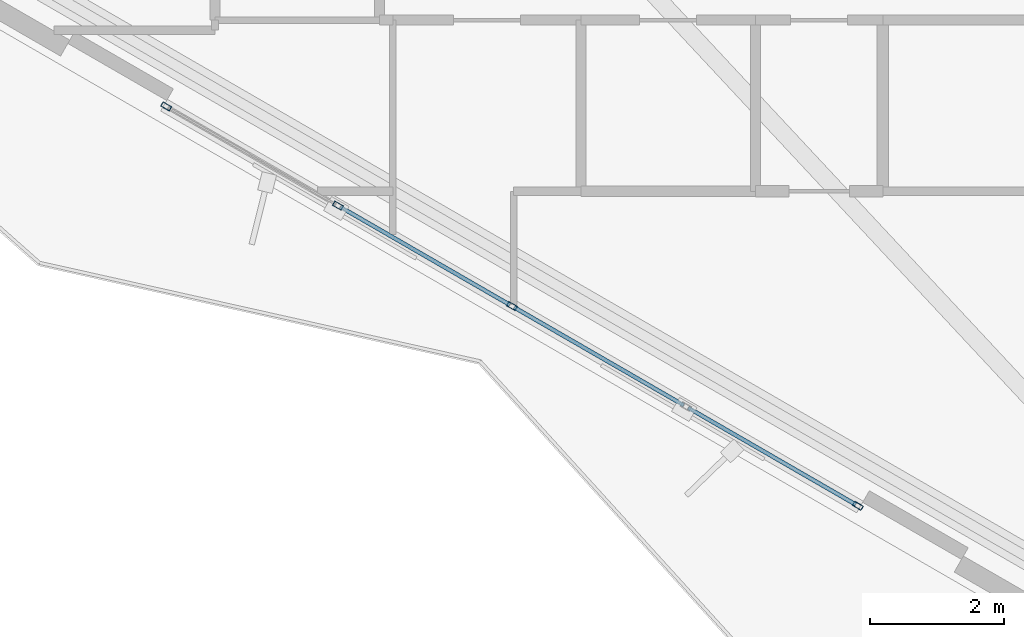
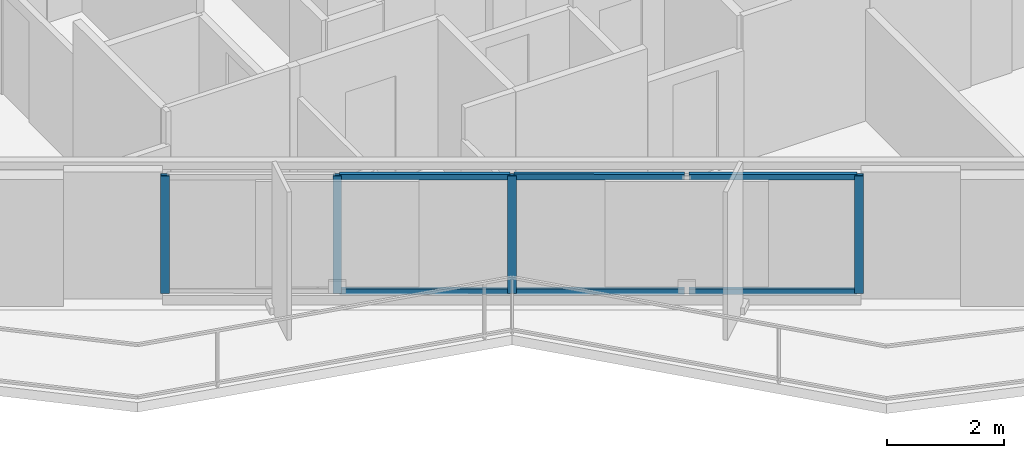
# One storey, part 2 of 19: 10 members, 1 element without a shape of its own.
"""IFC4 building model written with IfcOpenShell, lengths in metres."""

from ifc_helpers import new_model, si_unit, direction, frame, origin, origin_2d, place, context, subcontext, project, spatial, hollow_rectangle, extrude, material, layer, layer_set, material_profile, profile_set, type_object, element, aggregate, save


model = new_model("IFC4")

# Units and contexts
model_context = context("Model", 3, precision=1e-05, world=origin(), true_north=direction((0.0, 1.0)))
body_context = subcontext(model_context, "Body", "Model", "MODEL_VIEW")
ifc_project = project(units=[si_unit("LENGTHUNIT", "METRE"), si_unit("AREAUNIT", "SQUARE_METRE"), si_unit("VOLUMEUNIT", "CUBIC_METRE"), si_unit("PLANEANGLEUNIT", "RADIAN"), si_unit("MASSUNIT", "GRAM", prefix="KILO")], contexts=[model_context])

# Site, building, storey
site_placement = place(None, origin())
site = spatial("IfcSite", under=ifc_project, at=site_placement, CompositionType="ELEMENT")
building_placement = place(site_placement, origin())
building = spatial("IfcBuilding", under=site, at=building_placement, Name="Mersakhor Tower and Convention Hall", CompositionType="ELEMENT")
storey_placement = place(building_placement, frame((0.0, 0.0, 29.10009765625)))
storey = spatial("IfcBuildingStorey", under=building, at=storey_placement, Name="L07", CompositionType="ELEMENT", Elevation=29.10009765625)

# Curtain wall, members
ifc_material_1 = material(Name="Dark solar low-E aluminium curtain wall", Category="aluminium")
ifc_layer = layer(ifc_material_1, 0.159912109375)
ifc_layer_set = layer_set([ifc_layer], Name="Dark solar low-E aluminium curtain wall")
curtain_wall_type = type_object("IfcCurtainWallType", Name="CW-SYS-01", PredefinedType="USERDEFINED", material=ifc_layer_set)
curtain_wall_placement = place(storey_placement, origin())
curtain_wall = element("IfcCurtainWall", 1, at=curtain_wall_placement, inside=storey, type_object=curtain_wall_type, Name="L07 Dark-Glass Curtain Wall F3-B2", ObjectType="CURTAIN WALL", PredefinedType="USERDEFINED")
ifc_material_2 = material(Name="Anodised aluminium EN AW-6063 T6", Category="aluminium")
ifc_material_profile_1 = material_profile(ifc_material_2, hollow_rectangle(XDim=0.074951171875, YDim=0.14990234375, WallThickness=0.00634765625, at=origin_2d()), Name="RHS 150x75x6.3")
ifc_profile_set_1 = profile_set([ifc_material_profile_1], Name="Anodised aluminium EN AW-6063 T6")
member_type_1 = type_object("IfcMemberType", Name="CWM-150x75", PredefinedType="MULLION", material=ifc_profile_set_1)
member_1_placement = place(storey_placement, frame((26.72705078125, 10.9150390625, 0.199951171875), z_axis=(0.0, 0.0, 1.0), x_axis=(-0.50000344889, -0.866023412558, 0.0)))
member_1 = element("IfcMember", 2, at=member_1_placement, type_object=member_type_1, Name="CW-01 mullion 1", PredefinedType="MULLION", context=body_context, shape_type="SweptSolid", body=[
    extrude(hollow_rectangle(XDim=0.074951171875, YDim=0.14990234375, WallThickness=0.00634765625, at=origin_2d()), origin(), (0.0, 0.0, 1.0), 2.4599609375),
])
member_2_placement = place(storey_placement, frame((21.574951171875, 13.889404296875, 0.199951171875), z_axis=(0.0, 0.0, 1.0), x_axis=(-0.50000344889, -0.866023412558, 0.0)))
member_2 = element("IfcMember", 3, at=member_2_placement, type_object=member_type_1, Name="CW-01 mullion 3", PredefinedType="MULLION", context=body_context, shape_type="SweptSolid", body=[
    extrude(hollow_rectangle(XDim=0.074951171875, YDim=0.14990234375, WallThickness=0.00634765625, at=origin_2d()), origin(), (0.0, 0.0, 1.0), 2.4599609375),
])
member_3_placement = place(storey_placement, frame((18.982666015625, 15.38623046875, 0.199951171875), z_axis=(0.0, 0.0, 1.0), x_axis=(-0.50000344889, -0.866023412558, 0.0)))
member_3 = element("IfcMember", 4, at=member_3_placement, type_object=member_type_1, Name="CW-01 mullion 4", PredefinedType="MULLION", context=body_context, shape_type="SweptSolid", body=[
    extrude(hollow_rectangle(XDim=0.074951171875, YDim=0.14990234375, WallThickness=0.00634765625, at=origin_2d()), origin(), (0.0, 0.0, 1.0), 2.4599609375),
])
member_4_placement = place(storey_placement, frame((16.423095703125, 16.864013671875, 0.199951171875), z_axis=(0.0, 0.0, 1.0), x_axis=(-0.50000344889, -0.866023412558, 0.0)))
member_4 = element("IfcMember", 5, at=member_4_placement, type_object=member_type_1, Name="CW-01 mullion 5", PredefinedType="MULLION", context=body_context, shape_type="SweptSolid", body=[
    extrude(hollow_rectangle(XDim=0.074951171875, YDim=0.14990234375, WallThickness=0.00634765625, at=origin_2d()), origin(), (0.0, 0.0, 1.0), 2.4599609375),
])
ifc_material_3 = material(Name="Anodised aluminium EN AW-6063 T6", Category="aluminium")
ifc_material_profile_2 = material_profile(ifc_material_3, hollow_rectangle(XDim=0.06005859375, YDim=0.1201171875, WallThickness=0.0048828125, at=origin_2d()), Name="RHS 120x60x5")
ifc_profile_set_2 = profile_set([ifc_material_profile_2], Name="Anodised aluminium EN AW-6063 T6")
member_type_2 = type_object("IfcMemberType", Name="CWT-120x60", PredefinedType="USERDEFINED", material=ifc_profile_set_2)
member_5_placement = place(storey_placement, frame((26.694580078125, 10.93359375, 0.22998046875), z_axis=(-0.866023290103, 0.500003660985, 0.0), x_axis=(-0.500003660985, -0.866023290103, 0.0)))
member_5 = element("IfcMember", 6, at=member_5_placement, type_object=member_type_2, Name="CW-01 transom 1.1", ObjectType="TRANSOM", PredefinedType="USERDEFINED", context=body_context, shape_type="SweptSolid", body=[
    extrude(hollow_rectangle(XDim=0.06005859375, YDim=0.1201171875, WallThickness=0.0048828125, at=origin_2d()), origin(), (0.0, 0.0, 1.0), 2.880859375),
])
member_6_placement = place(storey_placement, frame((26.694580078125, 10.93359375, 2.6298828125), z_axis=(-0.866023290103, 0.500003660985, 0.0), x_axis=(-0.500003660985, -0.866023290103, 0.0)))
member_6 = element("IfcMember", 7, at=member_6_placement, type_object=member_type_2, Name="CW-01 transom 1.2", ObjectType="TRANSOM", PredefinedType="USERDEFINED", context=body_context, shape_type="SweptSolid", body=[
    extrude(hollow_rectangle(XDim=0.06005859375, YDim=0.1201171875, WallThickness=0.0048828125, at=origin_2d()), origin(), (0.0, 0.0, 1.0), 2.880859375),
])
member_7_placement = place(storey_placement, frame((24.134765625, 12.41162109375, 0.22998046875), z_axis=(-0.866015622527, 0.500016941252, 0.0), x_axis=(-0.500016941252, -0.866015622527, 0.0)))
member_7 = element("IfcMember", 8, at=member_7_placement, type_object=member_type_2, Name="CW-01 transom 2.1", ObjectType="TRANSOM", PredefinedType="USERDEFINED", context=body_context, shape_type="SweptSolid", body=[
    extrude(hollow_rectangle(XDim=0.06005859375, YDim=0.1201171875, WallThickness=0.0048828125, at=origin_2d()), origin(), (0.0, 0.0, 1.0), 2.91845703125),
])
member_8_placement = place(storey_placement, frame((24.134765625, 12.41162109375, 2.6298828125), z_axis=(-0.866015622527, 0.500016941252, 0.0), x_axis=(-0.500016941252, -0.866015622527, 0.0)))
member_8 = element("IfcMember", 9, at=member_8_placement, type_object=member_type_2, Name="CW-01 transom 2.2", ObjectType="TRANSOM", PredefinedType="USERDEFINED", context=body_context, shape_type="SweptSolid", body=[
    extrude(hollow_rectangle(XDim=0.06005859375, YDim=0.1201171875, WallThickness=0.0048828125, at=origin_2d()), origin(), (0.0, 0.0, 1.0), 2.91845703125),
])
member_9_placement = place(storey_placement, frame((21.54248046875, 13.908203125, 0.22998046875), z_axis=(-0.866015622527, 0.500016941252, 0.0), x_axis=(-0.500016941252, -0.866015622527, 0.0)))
member_9 = element("IfcMember", 10, at=member_9_placement, type_object=member_type_2, Name="CW-01 transom 3.1", ObjectType="TRANSOM", PredefinedType="USERDEFINED", context=body_context, shape_type="SweptSolid", body=[
    extrude(hollow_rectangle(XDim=0.06005859375, YDim=0.1201171875, WallThickness=0.0048828125, at=origin_2d()), origin(), (0.0, 0.0, 1.0), 2.91845703125),
])
member_10_placement = place(storey_placement, frame((21.54248046875, 13.908203125, 2.6298828125), z_axis=(-0.866015622527, 0.500016941252, 0.0), x_axis=(-0.500016941252, -0.866015622527, 0.0)))
member_10 = element("IfcMember", 11, at=member_10_placement, type_object=member_type_2, Name="CW-01 transom 3.2", ObjectType="TRANSOM", PredefinedType="USERDEFINED", context=body_context, shape_type="SweptSolid", body=[
    extrude(hollow_rectangle(XDim=0.06005859375, YDim=0.1201171875, WallThickness=0.0048828125, at=origin_2d()), origin(), (0.0, 0.0, 1.0), 2.91845703125),
])
aggregate(curtain_wall, [member_1, member_2, member_3, member_4, member_5, member_6, member_7, member_8, member_9, member_10])

save(model, "model.ifc")
